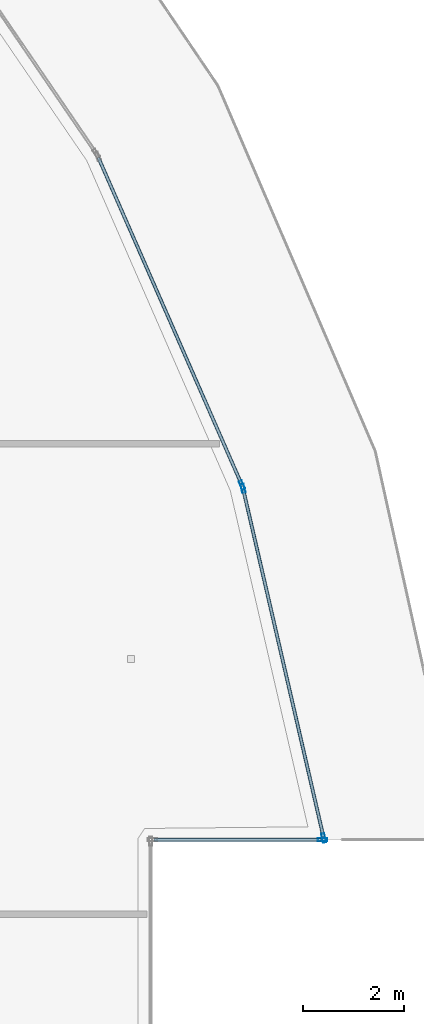
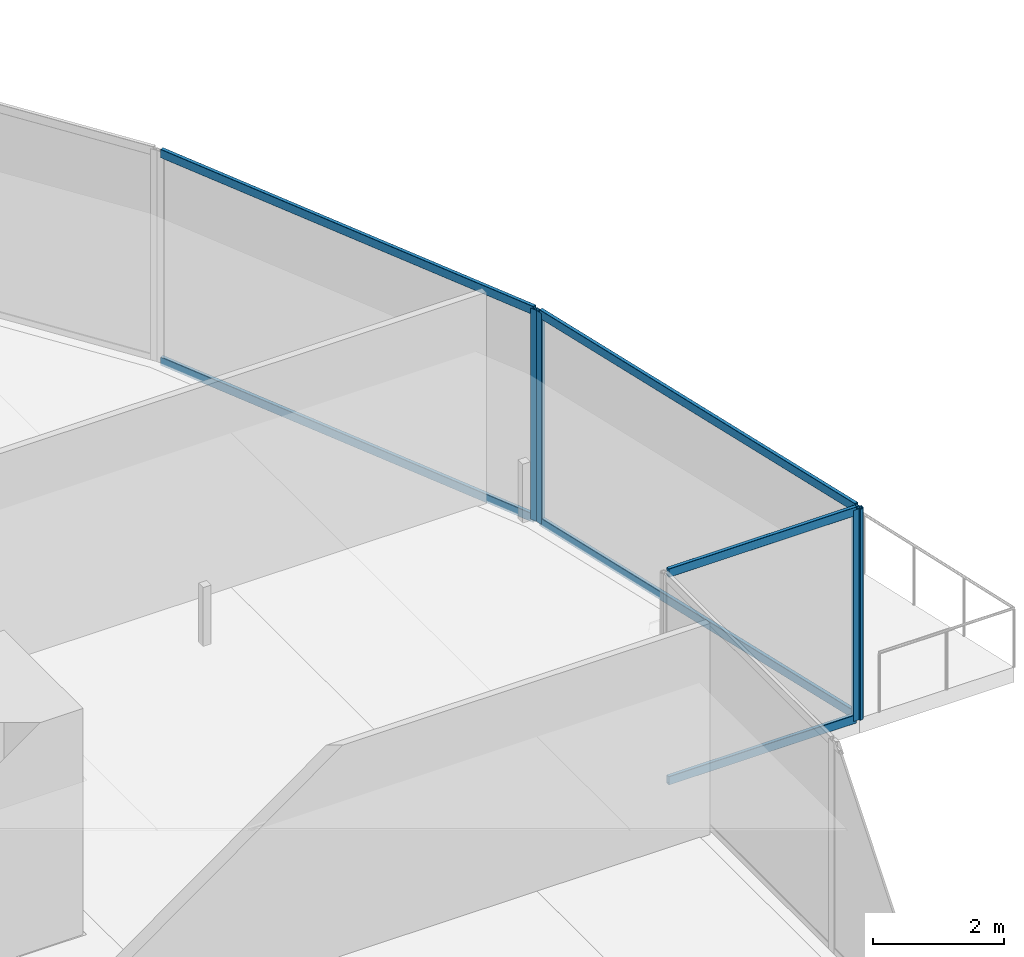
# One storey, part 27 of 46: 10 members, 3 elements without a shape of their own.
"""IFC4 building model written with IfcOpenShell, lengths in metres."""

from ifc_helpers import new_model, si_unit, direction, frame, origin, origin_2d, place, context, subcontext, project, spatial, hollow_rectangle, extrude, material, layer, layer_set, material_profile, profile_set, type_object, element, aggregate, save


model = new_model("IFC4")

# Units and contexts
model_context = context("Model", 3, precision=1e-05, world=origin(), true_north=direction((0.0, 1.0)))
body_context = subcontext(model_context, "Body", "Model", "MODEL_VIEW")
ifc_project = project(units=[si_unit("LENGTHUNIT", "METRE"), si_unit("AREAUNIT", "SQUARE_METRE"), si_unit("VOLUMEUNIT", "CUBIC_METRE"), si_unit("PLANEANGLEUNIT", "RADIAN"), si_unit("MASSUNIT", "GRAM", prefix="KILO")], contexts=[model_context])

# Site, building, storey
site_placement = place(None, origin())
site = spatial("IfcSite", under=ifc_project, at=site_placement, CompositionType="ELEMENT")
building_placement = place(site_placement, origin())
building = spatial("IfcBuilding", under=site, at=building_placement, Name="Qorvath Tower", CompositionType="ELEMENT")
storey_placement = place(building_placement, frame((0.0, 0.0, 87.0)))
storey = spatial("IfcBuildingStorey", under=building, at=storey_placement, Name="L19", CompositionType="ELEMENT", Elevation=87.0)

# Curtain wall, member
ifc_material_1 = material(Name="Anodised aluminium and triple low-E glass", Category="aluminium")
ifc_layer = layer(ifc_material_1, 0.179931640625)
ifc_layer_set = layer_set([ifc_layer], Name="CW-SYS-2")
curtain_wall_type = type_object("IfcCurtainWallType", Name="CW-SYS-2", PredefinedType="NOTDEFINED", material=ifc_layer_set)
curtain_wall_1_placement = place(storey_placement, origin())
curtain_wall_1 = element("IfcCurtainWall", 1, at=curtain_wall_1_placement, inside=storey, type_object=curtain_wall_type, Name="Curtain Wall CW-2 CW-T-L19-10.1", PredefinedType="NOTDEFINED")
ifc_material_2 = material(Name="Anodised aluminium 6063-T6", Category="aluminium")
ifc_material_profile_1 = material_profile(ifc_material_2, hollow_rectangle(XDim=0.06494140625, YDim=0.179931640625, WallThickness=0.00341796875, InnerFilletRadius=0.00341796875, OuterFilletRadius=0.007080078125, at=origin_2d()), Name="CWM 180x65")
ifc_profile_set_1 = profile_set([ifc_material_profile_1], Name="Anodised aluminium 6063-T6")
member_type_1 = type_object("IfcMemberType", Name="CWM-180", PredefinedType="MULLION", material=ifc_profile_set_1)
member_1_placement = place(storey_placement, frame((5.828857421875, 5.140869140625, 0.0), z_axis=(0.0, 0.0, 1.0), x_axis=(0.0, 1.0, 0.0)))
member_1 = element("IfcMember", 2, at=member_1_placement, type_object=member_type_1, Name="CW-2 mullion 2", PredefinedType="MULLION", context=body_context, shape_type="SweptSolid", body=[
    extrude(hollow_rectangle(XDim=0.06494140625, YDim=0.179931640625, WallThickness=0.00341796875, InnerFilletRadius=0.00341796875, OuterFilletRadius=0.007080078125, at=origin_2d()), origin(), (0.0, 0.0, 1.0), 3.919921875),
])

# Curtain wall, members
curtain_wall_2_placement = place(storey_placement, origin())
curtain_wall_2 = element("IfcCurtainWall", 3, at=curtain_wall_2_placement, inside=storey, type_object=curtain_wall_type, Name="Curtain Wall CW-2 CW-T-L19-11.1", PredefinedType="NOTDEFINED")
member_2_placement = place(storey_placement, frame((5.85400390625, 5.172607421875, 0.0), z_axis=(0.0, 0.0, 1.0), x_axis=(-0.974376611716, -0.22492269459, 0.0)))
member_2 = element("IfcMember", 4, at=member_2_placement, type_object=member_type_1, Name="CW-2 mullion 1", PredefinedType="MULLION", context=body_context, shape_type="SweptSolid", body=[
    extrude(hollow_rectangle(XDim=0.06494140625, YDim=0.179931640625, WallThickness=0.00341796875, InnerFilletRadius=0.00341796875, OuterFilletRadius=0.007080078125, at=origin_2d()), origin(), (0.0, 0.0, 1.0), 3.919921875),
])
member_3_placement = place(storey_placement, frame((4.2568359375, 12.091552734375, 0.0), z_axis=(0.0, 0.0, 1.0), x_axis=(-0.974376611716, -0.22492269459, 0.0)))
member_3 = element("IfcMember", 5, at=member_3_placement, type_object=member_type_1, Name="CW-2 mullion 2", PredefinedType="MULLION", context=body_context, shape_type="SweptSolid", body=[
    extrude(hollow_rectangle(XDim=0.06494140625, YDim=0.179931640625, WallThickness=0.00341796875, InnerFilletRadius=0.00341796875, OuterFilletRadius=0.007080078125, at=origin_2d()), origin(), (0.0, 0.0, 1.0), 3.919921875),
])

# Curtain wall, member
curtain_wall_3_placement = place(storey_placement, origin())
curtain_wall_3 = element("IfcCurtainWall", 6, at=curtain_wall_3_placement, inside=storey, type_object=curtain_wall_type, Name="Curtain Wall CW-2 CW-T-L19-12.1", PredefinedType="NOTDEFINED")
member_4_placement = place(storey_placement, frame((4.236572265625, 12.153076171875, 0.0), z_axis=(0.0, 0.0, 1.0), x_axis=(-0.915885530927, -0.401439527499, 0.0)))
member_4 = element("IfcMember", 7, at=member_4_placement, type_object=member_type_1, Name="CW-2 mullion 1", PredefinedType="MULLION", context=body_context, shape_type="SweptSolid", body=[
    extrude(hollow_rectangle(XDim=0.06494140625, YDim=0.179931640625, WallThickness=0.00341796875, InnerFilletRadius=0.00341796875, OuterFilletRadius=0.007080078125, at=origin_2d()), origin(), (0.0, 0.0, 1.0), 3.919921875),
])

# Member
ifc_material_3 = material(Name="Anodised aluminium 6063-T6", Category="aluminium")
ifc_material_profile_2 = material_profile(ifc_material_3, hollow_rectangle(XDim=0.06494140625, YDim=0.159912109375, WallThickness=0.00341796875, InnerFilletRadius=0.00341796875, OuterFilletRadius=0.007080078125, at=origin_2d()), Name="CWT 160x65")
ifc_profile_set_2 = profile_set([ifc_material_profile_2], Name="Anodised aluminium 6063-T6")
member_type_2 = type_object("IfcMemberType", Name="CWT-160", PredefinedType="USERDEFINED", material=ifc_profile_set_2)
member_5_placement = place(storey_placement, frame((2.4990234375, 5.140869140625, 0.032470703125), z_axis=(1.0, 0.0, 0.0), x_axis=(0.0, 1.0, 0.0)))
member_5 = element("IfcMember", 8, at=member_5_placement, type_object=member_type_2, Name="CW-2 transom 1.1", ObjectType="TRANSOM", PredefinedType="USERDEFINED", context=body_context, shape_type="SweptSolid", body=[
    extrude(hollow_rectangle(XDim=0.06494140625, YDim=0.159912109375, WallThickness=0.00341796875, InnerFilletRadius=0.00341796875, OuterFilletRadius=0.007080078125, at=origin_2d()), origin(), (0.0, 0.0, 1.0), 3.29736328125),
])

member_6_placement = place(storey_placement, frame((2.4990234375, 5.140869140625, 3.887451171875), z_axis=(1.0, 0.0, 0.0), x_axis=(0.0, 1.0, 0.0)))
member_6 = element("IfcMember", 9, at=member_6_placement, type_object=member_type_2, Name="CW-2 transom 1.2", ObjectType="TRANSOM", PredefinedType="USERDEFINED", context=body_context, shape_type="SweptSolid", body=[
    extrude(hollow_rectangle(XDim=0.06494140625, YDim=0.159912109375, WallThickness=0.00341796875, InnerFilletRadius=0.00341796875, OuterFilletRadius=0.007080078125, at=origin_2d()), origin(), (0.0, 0.0, 1.0), 3.29736328125),
])

aggregate(curtain_wall_1, [member_1, member_5, member_6])

member_7_placement = place(storey_placement, frame((5.8466796875, 5.204345703125, 0.032470703125), z_axis=(-0.224917792527, 0.974377743283, 0.0), x_axis=(-0.974377743283, -0.224917792527, 0.0)))
member_7 = element("IfcMember", 10, at=member_7_placement, type_object=member_type_2, Name="CW-2 transom 1.1", ObjectType="TRANSOM", PredefinedType="USERDEFINED", context=body_context, shape_type="SweptSolid", body=[
    extrude(hollow_rectangle(XDim=0.06494140625, YDim=0.159912109375, WallThickness=0.00341796875, InnerFilletRadius=0.00341796875, OuterFilletRadius=0.007080078125, at=origin_2d()), origin(), (0.0, 0.0, 1.0), 7.035888671875),
])

member_8_placement = place(storey_placement, frame((5.8466796875, 5.204345703125, 3.887451171875), z_axis=(-0.224917792527, 0.974377743283, 0.0), x_axis=(-0.974377743283, -0.224917792527, 0.0)))
member_8 = element("IfcMember", 11, at=member_8_placement, type_object=member_type_2, Name="CW-2 transom 1.2", ObjectType="TRANSOM", PredefinedType="USERDEFINED", context=body_context, shape_type="SweptSolid", body=[
    extrude(hollow_rectangle(XDim=0.06494140625, YDim=0.159912109375, WallThickness=0.00341796875, InnerFilletRadius=0.00341796875, OuterFilletRadius=0.007080078125, at=origin_2d()), origin(), (0.0, 0.0, 1.0), 7.035888671875),
])

aggregate(curtain_wall_2, [member_2, member_3, member_7, member_8])

member_9_placement = place(storey_placement, frame((4.223388671875, 12.182861328125, 0.032470703125), z_axis=(-0.401435821214, 0.915887155411, 0.0), x_axis=(-0.915887155411, -0.401435821214, 0.0)))
member_9 = element("IfcMember", 12, at=member_9_placement, type_object=member_type_2, Name="CW-2 transom 1.1", ObjectType="TRANSOM", PredefinedType="USERDEFINED", context=body_context, shape_type="SweptSolid", body=[
    extrude(hollow_rectangle(XDim=0.06494140625, YDim=0.159912109375, WallThickness=0.00341796875, InnerFilletRadius=0.00341796875, OuterFilletRadius=0.007080078125, at=origin_2d()), origin(), (0.0, 0.0, 1.0), 7.035888671875),
])

member_10_placement = place(storey_placement, frame((4.223388671875, 12.182861328125, 3.887451171875), z_axis=(-0.401435821214, 0.915887155411, 0.0), x_axis=(-0.915887155411, -0.401435821214, 0.0)))
member_10 = element("IfcMember", 13, at=member_10_placement, type_object=member_type_2, Name="CW-2 transom 1.2", ObjectType="TRANSOM", PredefinedType="USERDEFINED", context=body_context, shape_type="SweptSolid", body=[
    extrude(hollow_rectangle(XDim=0.06494140625, YDim=0.159912109375, WallThickness=0.00341796875, InnerFilletRadius=0.00341796875, OuterFilletRadius=0.007080078125, at=origin_2d()), origin(), (0.0, 0.0, 1.0), 7.035888671875),
])

aggregate(curtain_wall_3, [member_4, member_9, member_10])

save(model, "model.ifc")
